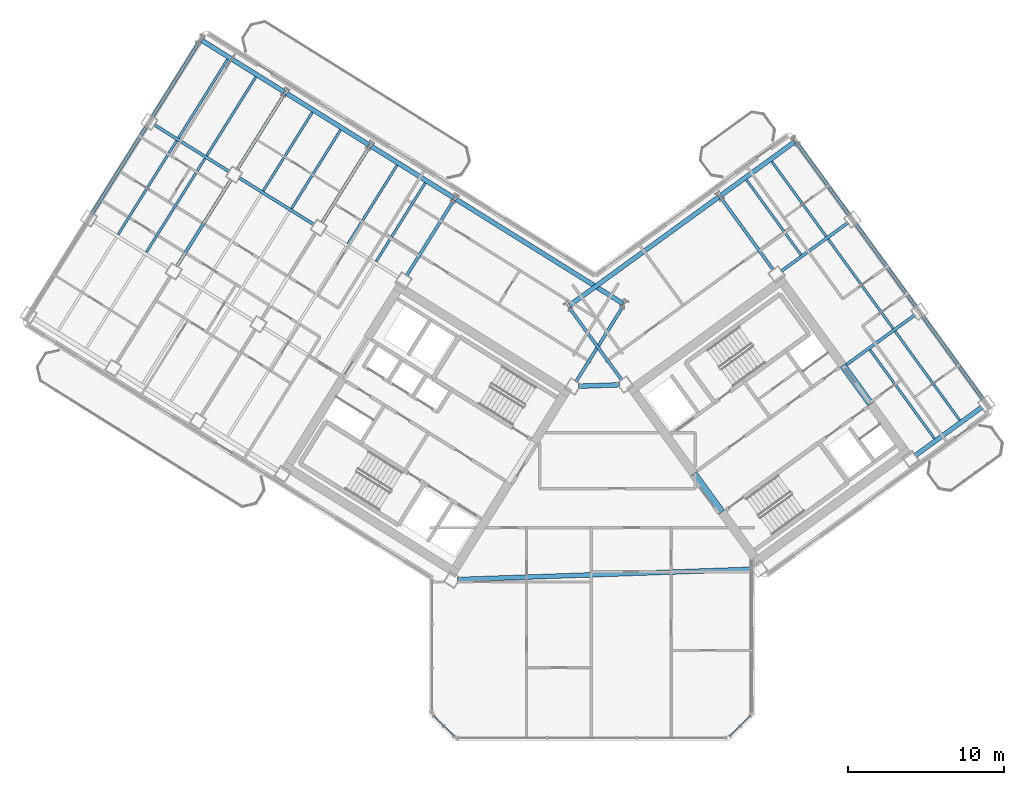
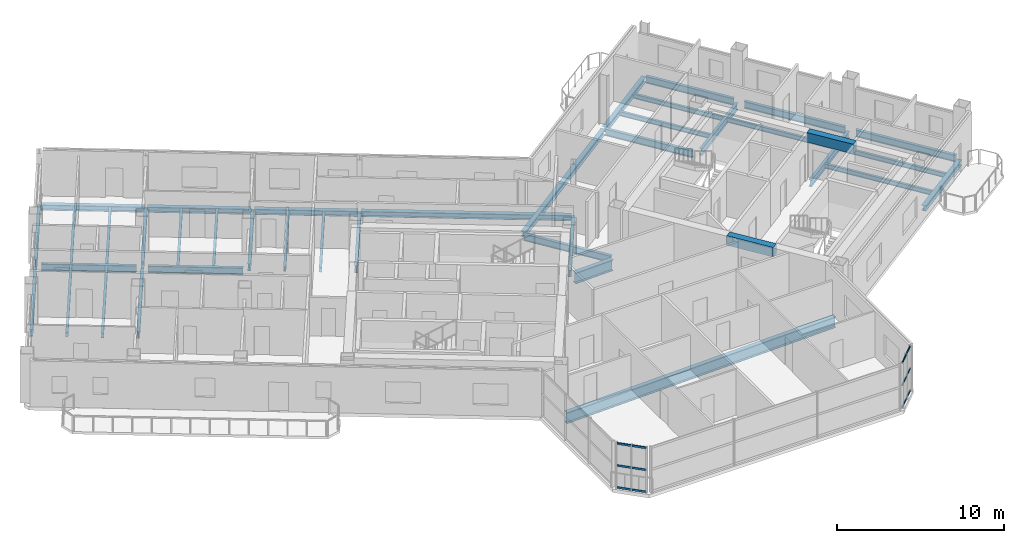
# One storey, part 7 of 21: 40 beams, 12 members, 2 elements without a shape of their own.
"""IFC4 building model written with IfcOpenShell, lengths in metres."""

from ifc_helpers import new_model, si_unit, direction, frame, origin, origin_2d, place, context, subcontext, project, spatial, rectangle, hollow_rectangle, i_section, extrude, source, transform, mapped, material, material_profile, profile_set, type_object, element, aggregate, save


model = new_model("IFC4")

# Units and contexts
model_context = context("Model", 3, precision=1e-05, world=origin(), true_north=direction((0.0, 1.0)))
body_context = subcontext(model_context, "Body", "Model", "MODEL_VIEW")
ifc_project = project(units=[si_unit("LENGTHUNIT", "METRE"), si_unit("AREAUNIT", "SQUARE_METRE"), si_unit("VOLUMEUNIT", "CUBIC_METRE"), si_unit("PLANEANGLEUNIT", "RADIAN"), si_unit("MASSUNIT", "GRAM", prefix="KILO")], contexts=[model_context])

# Site, building, storey
site_placement = place(None, origin())
site = spatial("IfcSite", under=ifc_project, at=site_placement, CompositionType="ELEMENT")
building_placement = place(site_placement, origin())
building = spatial("IfcBuilding", under=site, at=building_placement, Name="Tlacorven Tower", CompositionType="ELEMENT")
storey_placement = place(building_placement, frame((0.0, 0.0, 184.199951171875)))
storey = spatial("IfcBuildingStorey", under=building, at=storey_placement, Name="L46", CompositionType="ELEMENT", Elevation=184.199951171875)

# Beams
ifc_material_1 = material(Name="Concrete C60/75", Category="concrete")
ifc_material_profile_1 = material_profile(ifc_material_1, rectangle(XDim=0.449951171875, YDim=0.699951171875, at=origin_2d()), Name="RC 450X700")
ifc_profile_set_1 = profile_set([ifc_material_profile_1], Name="Concrete C60/75")
beam_type_1 = type_object("IfcBeamType", Name="BM-LNT-700", PredefinedType="LINTEL", material=ifc_profile_set_1)
shared_shape_1 = source(origin(), body_context, "Body", "SweptSolid", [
    extrude(rectangle(XDim=0.449951171875, YDim=0.699951171875, at=origin_2d()), origin(), (0.0, 0.0, 1.0), 3.050048828125),
])
for number, where, z_axis, x_axis, name in (
    (1, (50.318359375, 16.416015625, 3.0), (-0.587776590479, 0.80902328748, 0.0), (-0.80902328748, -0.587776590479, 0.0), "L46 E core coupling lintel beam E1"),
    (2, (59.856689453125, 23.345947265625, 3.0), (-0.587776590479, 0.80902328748, 0.0), (-0.80902328748, -0.587776590479, 0.0), "L46 E core coupling lintel beam E2"),
):
    element("IfcBeam", number, at=place(storey_placement, frame(where, z_axis=z_axis, x_axis=x_axis)), inside=storey, type_object=beam_type_1, Name=name, PredefinedType="LINTEL", context=body_context, shape_type="MappedRepresentation", body=[
        mapped(shared_shape_1, transform((0.0, 0.0, 0.0), scale=1.0)),
    ])
ifc_material_2 = material(Name="Steel S355J2", Category="steel")
ifc_material_profile_2 = material_profile(ifc_material_2, i_section(OverallWidth=0.300048828125, OverallDepth=0.800048828125, WebThickness=0.017578125, FlangeThickness=0.032958984375, at=origin_2d()), Name="HEB 800")
ifc_profile_set_2 = profile_set([ifc_material_profile_2], Name="Steel S355J2")
beam_type_2 = type_object("IfcBeamType", Name="BM-POD-800", PredefinedType="BEAM", material=ifc_profile_set_2)
shared_shape_2 = source(origin(), body_context, "Body", "SweptSolid", [
    extrude(i_section(OverallWidth=0.300048828125, OverallDepth=0.800048828125, WebThickness=0.017578125, FlangeThickness=0.032958984375, at=origin_2d()), origin(), (0.0, 0.0, 1.0), 2.642822265625),
])
beam_1_placement = place(storey_placement, frame((41.1328125, 24.480712890625, -0.64990234375), z_axis=(0.999393314814, 0.034828182629, 0.0), x_axis=(-0.034828182629, 0.999393314814, 0.0)))
element("IfcBeam", 3, at=beam_1_placement, inside=storey, type_object=beam_type_2, Name="L46 Knuckle Link Girder 1", PredefinedType="BEAM", context=body_context, shape_type="MappedRepresentation", body=[
    mapped(shared_shape_2, transform((0.0, 0.0, 0.0), scale=1.0)),
])
ifc_material_profile_3 = material_profile(ifc_material_2, i_section(OverallWidth=0.199951171875, OverallDepth=0.5, WebThickness=0.01025390625, FlangeThickness=0.01611328125, at=origin_2d()), Name="IPE 500")
ifc_profile_set_3 = profile_set([ifc_material_profile_3], Name="Steel S355J2")
beam_type_3 = type_object("IfcBeamType", Name="BM-TWR-500", PredefinedType="BEAM", material=ifc_profile_set_3)
shared_shape_3 = source(origin(), body_context, "Body", "SweptSolid", [
    extrude(i_section(OverallWidth=0.199951171875, OverallDepth=0.5, WebThickness=0.01025390625, FlangeThickness=0.01611328125, at=origin_2d()), origin(), (0.0, 0.0, 1.0), 5.7001953125),
])
for number, where, z_axis, x_axis, name in (
    (4, (24.20361328125, 34.828369140625, -0.5), (-0.848056048787, 0.529906537151, 0.0), (-0.529906537151, -0.848056048787, 0.0), "L46 beam BM-L46-WL2-4"),
    (5, (18.776123046875, 38.2197265625, -0.5), (-0.848056048787, 0.529906537151, 0.0), (-0.529906537151, -0.848056048787, 0.0), "L46 beam BM-L46-WL2-5"),
):
    element("IfcBeam", number, at=place(storey_placement, frame(where, z_axis=z_axis, x_axis=x_axis)), inside=storey, type_object=beam_type_3, Name=name, PredefinedType="BEAM", context=body_context, shape_type="MappedRepresentation", body=[
        mapped(shared_shape_3, transform((0.0, 0.0, 0.0), scale=1.0)),
    ])
shared_shape_4 = source(origin(), body_context, "Body", "SweptSolid", [
    extrude(i_section(OverallWidth=0.199951171875, OverallDepth=0.5, WebThickness=0.01025390625, FlangeThickness=0.01611328125, at=origin_2d()), origin(), (0.0, 0.0, 1.0), 5.75),
])
for number, where, z_axis, x_axis, name in (
    (6, (44.015380859375, 29.6416015625, -0.5), (-0.529884439831, -0.848069855864, 0.0), (0.848069855864, -0.529884439831, 0.0), "L46 beam BM-L46-WT1-1"),
    (7, (33.160400390625, 36.424560546875, -0.5), (-0.529884439831, -0.848069855864, 0.0), (0.848069855864, -0.529884439831, 0.0), "L46 beam BM-L46-WT3-1"),
    (8, (27.73291015625, 39.81591796875, -0.5), (-0.529934056882, -0.848038852504, 0.0), (0.848038852504, -0.529934056882, 0.0), "L46 beam BM-L46-WT4-1"),
    (9, (16.8779296875, 46.598876953125, -0.5), (-0.529934056882, -0.848038852504, 0.0), (0.848038852504, -0.529934056882, 0.0), "L46 beam BM-L46-WT6-1"),
    (10, (43.91796875, 24.8681640625, -0.5), (-0.587770208527, 0.809027924097, 0.0), (-0.809027924097, -0.587770208527, 0.0), "L46 beam BM-L46-ET1-2"),
    (11, (53.626220703125, 31.921630859375, -0.5), (-0.587770208527, 0.809027924097, 0.0), (-0.809027924097, -0.587770208527, 0.0), "L46 beam BM-L46-ET3-2"),
    (12, (58.480224609375, 35.4482421875, -0.5), (-0.587770208527, 0.809027924097, 0.0), (-0.809027924097, -0.587770208527, 0.0), "L46 beam BM-L46-ET4-3"),
):
    element("IfcBeam", number, at=place(storey_placement, frame(where, z_axis=z_axis, x_axis=x_axis)), inside=storey, type_object=beam_type_3, Name=name, PredefinedType="BEAM", context=body_context, shape_type="MappedRepresentation", body=[
        mapped(shared_shape_4, transform((0.0, 0.0, 0.0), scale=1.0)),
    ])
shared_shape_5 = source(origin(), body_context, "Body", "SweptSolid", [
    extrude(i_section(OverallWidth=0.199951171875, OverallDepth=0.5, WebThickness=0.01025390625, FlangeThickness=0.01611328125, at=origin_2d()), origin(), (0.0, 0.0, 1.0), 6.599853515625),
])
beam_2_placement = place(storey_placement, frame((13.4599609375, 41.12890625, -0.5), z_axis=(-0.529942412256, -0.848033631227, 0.0), x_axis=(0.848033631227, -0.529942412256, 0.0)))
element("IfcBeam", 13, at=beam_2_placement, inside=storey, type_object=beam_type_3, Name="L46 beam BM-L46-WT6-2", PredefinedType="BEAM", context=body_context, shape_type="MappedRepresentation", body=[
    mapped(shared_shape_5, transform((0.0, 0.0, 0.0), scale=1.0)),
])
shared_shape_6 = source(origin(), body_context, "Body", "SweptSolid", [
    extrude(i_section(OverallWidth=0.199951171875, OverallDepth=0.5, WebThickness=0.01025390625, FlangeThickness=0.01611328125, at=origin_2d()), origin(), (0.0, 0.0, 1.0), 6.60009765625),
])
for number, where, z_axis, x_axis, name in (
    (14, (18.887451171875, 37.737548828125, -0.5), (-0.529925788294, -0.848044019436, 0.0), (0.848044019436, -0.529925788294, 0.0), "L46 beam BM-L46-WT5-2"),
    (15, (67.06201171875, 23.63671875, -0.5), (-0.587780128583, 0.809020716943, 0.0), (-0.809020716943, -0.587780128583, 0.0), "L46 beam BM-L46-ET4-1"),
    (16, (62.771240234375, 29.54248046875, -0.5), (-0.587780128583, 0.809020716943, 0.0), (-0.809020716943, -0.587780128583, 0.0), "L46 beam BM-L46-ET4-2"),
):
    element("IfcBeam", number, at=place(storey_placement, frame(where, z_axis=z_axis, x_axis=x_axis)), inside=storey, type_object=beam_type_3, Name=name, PredefinedType="BEAM", context=body_context, shape_type="MappedRepresentation", body=[
        mapped(shared_shape_6, transform((0.0, 0.0, 0.0), scale=1.0)),
    ])
shared_shape_7 = source(origin(), body_context, "Body", "SweptSolid", [
    extrude(i_section(OverallWidth=0.199951171875, OverallDepth=0.5, WebThickness=0.01025390625, FlangeThickness=0.01611328125, at=origin_2d()), origin(), (0.0, 0.0, 1.0), 5.750244140625),
])
beam_3_placement = place(storey_placement, frame((22.305419921875, 43.20751953125, -0.5), z_axis=(-0.529914976044, -0.848050775699, 0.0), x_axis=(0.848050775699, -0.529914976044, 0.0)))
element("IfcBeam", 17, at=beam_3_placement, inside=storey, type_object=beam_type_3, Name="L46 beam BM-L46-WT5-1", PredefinedType="BEAM", context=body_context, shape_type="MappedRepresentation", body=[
    mapped(shared_shape_7, transform((0.0, 0.0, 0.0), scale=1.0)),
])
shared_shape_8 = source(origin(), body_context, "Body", "SweptSolid", [
    extrude(i_section(OverallWidth=0.199951171875, OverallDepth=0.5, WebThickness=0.01025390625, FlangeThickness=0.01611328125, at=origin_2d()), origin(), (0.0, 0.0, 1.0), 5.300048828125),
])
beam_4_placement = place(storey_placement, frame((54.114990234375, 31.84423828125, -0.5), z_axis=(0.809022830186, 0.587777219904, 0.0), x_axis=(-0.587777219904, 0.809022830186, 0.0)))
element("IfcBeam", 18, at=beam_4_placement, inside=storey, type_object=beam_type_3, Name="L46 beam BM-L46-EL3-3", PredefinedType="BEAM", context=body_context, shape_type="MappedRepresentation", body=[
    mapped(shared_shape_8, transform((0.0, 0.0, 0.0), scale=1.0)),
])
shared_shape_9 = source(origin(), body_context, "Body", "SweptSolid", [
    extrude(i_section(OverallWidth=0.199951171875, OverallDepth=0.5, WebThickness=0.01025390625, FlangeThickness=0.01611328125, at=origin_2d()), origin(), (0.0, 0.0, 1.0), 5.6103515625),
])
beam_5_placement = place(storey_placement, frame((58.155029296875, 25.756103515625, -0.5), z_axis=(0.809020142627, 0.587780919071, 0.0), x_axis=(-0.587780919071, 0.809020142627, 0.0)))
element("IfcBeam", 19, at=beam_5_placement, inside=storey, type_object=beam_type_3, Name="L46 beam BM-L46-EL2-3", PredefinedType="BEAM", context=body_context, shape_type="MappedRepresentation", body=[
    mapped(shared_shape_9, transform((0.0, 0.0, 0.0), scale=1.0)),
])
shared_shape_10 = source(origin(), body_context, "Body", "SweptSolid", [
    extrude(i_section(OverallWidth=0.300048828125, OverallDepth=0.800048828125, WebThickness=0.017578125, FlangeThickness=0.032958984375, at=origin_2d()), origin(), (0.0, 0.0, 1.0), 18.97119140625),
])
beam_6_placement = place(storey_placement, frame((33.39599609375, 12.09912109375, -0.64990234375), z_axis=(0.999390787537, 0.034900627304, 0.0), x_axis=(-0.034900627304, 0.999390787537, 0.0)))
element("IfcBeam", 20, at=beam_6_placement, inside=storey, type_object=beam_type_2, Name="L46 Knuckle Link Girder 2", PredefinedType="BEAM", context=body_context, shape_type="MappedRepresentation", body=[
    mapped(shared_shape_10, transform((0.0, 0.0, 0.0), scale=1.0)),
])
ifc_material_profile_4 = material_profile(ifc_material_2, i_section(OverallWidth=0.159912109375, OverallDepth=0.330078125, WebThickness=0.007568359375, FlangeThickness=0.011474609375, at=origin_2d()), Name="IPE 330")
ifc_profile_set_4 = profile_set([ifc_material_profile_4], Name="Steel S355J2")
beam_type_4 = type_object("IfcBeamType", Name="BM-JST-330", PredefinedType="JOIST", material=ifc_profile_set_4)
shared_shape_11 = source(origin(), body_context, "Body", "SweptSolid", [
    extrude(i_section(OverallWidth=0.159912109375, OverallDepth=0.330078125, WebThickness=0.007568359375, FlangeThickness=0.011474609375, at=origin_2d()), origin(), (0.0, 0.0, 1.0), 7.0400390625),
])
beam_7_placement = place(storey_placement, frame((63.9404296875, 21.127685546875, -0.4150390625), z_axis=(-0.587773661987, 0.809025415098, 0.0), x_axis=(-0.809025415098, -0.587773661987, 0.0)))
element("IfcBeam", 21, at=beam_7_placement, inside=storey, type_object=beam_type_4, Name="L46 beam BM-L46-EJ3-1-1", PredefinedType="JOIST", context=body_context, shape_type="MappedRepresentation", body=[
    mapped(shared_shape_11, transform((0.0, 0.0, 0.0), scale=1.0)),
])
shared_shape_12 = source(origin(), body_context, "Body", "SweptSolid", [
    extrude(i_section(OverallWidth=0.159912109375, OverallDepth=0.330078125, WebThickness=0.007568359375, FlangeThickness=0.011474609375, at=origin_2d()), origin(), (0.0, 0.0, 1.0), 5.940185546875),
])
for number, where, z_axis, x_axis, name in (
    (22, (29.512939453125, 38.638916015625, -0.4150390625), (-0.529902882565, -0.848058332339, 0.0), (0.848058332339, -0.529902882565, 0.0), "L46 beam BM-L46-WJ3-1-2"),
    (23, (25.894775390625, 40.899658203125, -0.4150390625), (-0.529950911506, -0.848028319924, 0.0), (0.848028319924, -0.529950911506, 0.0), "L46 beam BM-L46-WJ4-1-1"),
    (24, (18.657958984375, 45.421875, -0.4150390625), (-0.529902882565, -0.848058332339, 0.0), (0.848058332339, -0.529902882565, 0.0), "L46 beam BM-L46-WJ5-1-2"),
    (25, (55.38818359375, 32.89892578125, -0.4150390625), (-0.587778174144, 0.809022136903, 0.0), (-0.809022136903, -0.587778174144, 0.0), "L46 beam BM-L46-EJ3-3-1"),
    (26, (57.00634765625, 34.074462890625, -0.4150390625), (-0.587778174144, 0.809022136903, 0.0), (-0.809022136903, -0.587778174144, 0.0), "L46 beam BM-L46-EJ3-3-2"),
):
    element("IfcBeam", number, at=place(storey_placement, frame(where, z_axis=z_axis, x_axis=x_axis)), inside=storey, type_object=beam_type_4, Name=name, PredefinedType="JOIST", context=body_context, shape_type="MappedRepresentation", body=[
        mapped(shared_shape_12, transform((0.0, 0.0, 0.0), scale=1.0)),
    ])
shared_shape_13 = source(origin(), body_context, "Body", "SweptSolid", [
    extrude(i_section(OverallWidth=0.159912109375, OverallDepth=0.330078125, WebThickness=0.007568359375, FlangeThickness=0.011474609375, at=origin_2d()), origin(), (0.0, 0.0, 1.0), 7.090087890625),
])
for number, where, z_axis, x_axis, name in (
    (27, (17.208251953125, 39.07568359375, -0.4150390625), (-0.529937035031, -0.848036991471, 0.0), (0.848036991471, -0.529937035031, 0.0), "L46 beam BM-L46-WJ5-2-1"),
    (28, (15.39892578125, 40.206298828125, -0.4150390625), (-0.529912270669, -0.84805246618, 0.0), (0.84805246618, -0.529912270669, 0.0), "L46 beam BM-L46-WJ5-2-2"),
    (29, (61.297119140625, 28.168701171875, -0.4150390625), (-0.587782622309, 0.809018905164, 0.0), (-0.809018905164, -0.587782622309, 0.0), "L46 beam BM-L46-EJ3-2-2"),
):
    element("IfcBeam", number, at=place(storey_placement, frame(where, z_axis=z_axis, x_axis=x_axis)), inside=storey, type_object=beam_type_4, Name=name, PredefinedType="JOIST", context=body_context, shape_type="MappedRepresentation", body=[
        mapped(shared_shape_13, transform((0.0, 0.0, 0.0), scale=1.0)),
    ])
shared_shape_14 = source(origin(), body_context, "Body", "SweptSolid", [
    extrude(i_section(OverallWidth=0.159912109375, OverallDepth=0.330078125, WebThickness=0.007568359375, FlangeThickness=0.011474609375, at=origin_2d()), origin(), (0.0, 0.0, 1.0), 5.93994140625),
])
for number, where, z_axis, x_axis, name in (
    (30, (31.322265625, 37.50830078125, -0.4150390625), (-0.529921352973, -0.848046790963, 0.0), (0.848046790963, -0.529921352973, 0.0), "L46 beam BM-L46-WJ3-1-1"),
    (31, (24.08544921875, 42.0302734375, -0.4150390625), (-0.529921352973, -0.848046790963, 0.0), (0.848046790963, -0.529921352973, 0.0), "L46 beam BM-L46-WJ4-1-2"),
    (32, (20.467041015625, 44.291259765625, -0.4150390625), (-0.529921352973, -0.848046790963, 0.0), (0.848046790963, -0.529921352973, 0.0), "L46 beam BM-L46-WJ5-1-1"),
):
    element("IfcBeam", number, at=place(storey_placement, frame(where, z_axis=z_axis, x_axis=x_axis)), inside=storey, type_object=beam_type_4, Name=name, PredefinedType="JOIST", context=body_context, shape_type="MappedRepresentation", body=[
        mapped(shared_shape_14, transform((0.0, 0.0, 0.0), scale=1.0)),
    ])
shared_shape_15 = source(origin(), body_context, "Body", "SweptSolid", [
    extrude(i_section(OverallWidth=0.159912109375, OverallDepth=0.330078125, WebThickness=0.007568359375, FlangeThickness=0.011474609375, at=origin_2d()), origin(), (0.0, 0.0, 1.0), 7.039794921875),
])
beam_8_placement = place(storey_placement, frame((65.55859375, 22.303466796875, -0.4150390625), z_axis=(-0.587790152999, 0.809013433781, 0.0), x_axis=(-0.809013433781, -0.587790152999, 0.0)))
element("IfcBeam", 33, at=beam_8_placement, inside=storey, type_object=beam_type_4, Name="L46 beam BM-L46-EJ3-1-2", PredefinedType="JOIST", context=body_context, shape_type="MappedRepresentation", body=[
    mapped(shared_shape_15, transform((0.0, 0.0, 0.0), scale=1.0)),
])
ifc_material_profile_5 = material_profile(ifc_material_2, i_section(OverallWidth=0.300048828125, OverallDepth=0.389892578125, WebThickness=0.010986328125, FlangeThickness=0.01904296875, at=origin_2d()), Name="HEA 400")
ifc_profile_set_5 = profile_set([ifc_material_profile_5], Name="Steel S355J2")
beam_type_5 = type_object("IfcBeamType", Name="BM-SPN-400", PredefinedType="SPANDREL", material=ifc_profile_set_5)
shared_shape_16 = source(origin(), body_context, "Body", "SweptSolid", [
    extrude(i_section(OverallWidth=0.300048828125, OverallDepth=0.389892578125, WebThickness=0.010986328125, FlangeThickness=0.01904296875, at=origin_2d()), origin(), (0.0, 0.0, 1.0), 12.599853515625),
])
beam_9_placement = place(storey_placement, frame((43.983642578125, 29.779296875, -0.445068359375), z_axis=(-0.848045108756, 0.529924045043, 0.0), x_axis=(-0.529924045043, -0.848045108756, 0.0)))
element("IfcBeam", 34, at=beam_9_placement, inside=storey, type_object=beam_type_5, Name="L46 beam BM-L46-WL1-1", PredefinedType="SPANDREL", context=body_context, shape_type="MappedRepresentation", body=[
    mapped(shared_shape_16, transform((0.0, 0.0, 0.0), scale=1.0)),
])
shared_shape_17 = source(origin(), body_context, "Body", "SweptSolid", [
    extrude(i_section(OverallWidth=0.300048828125, OverallDepth=0.389892578125, WebThickness=0.010986328125, FlangeThickness=0.01904296875, at=origin_2d()), origin(), (0.0, 0.0, 1.0), 6.199951171875),
])
beam_10_placement = place(storey_placement, frame((33.128662109375, 36.562255859375, -0.445068359375), z_axis=(-0.848051394107, 0.529913986372, 0.0), x_axis=(-0.529913986372, -0.848051394107, 0.0)))
element("IfcBeam", 35, at=beam_10_placement, inside=storey, type_object=beam_type_5, Name="L46 beam BM-L46-WL1-3", PredefinedType="SPANDREL", context=body_context, shape_type="MappedRepresentation", body=[
    mapped(shared_shape_17, transform((0.0, 0.0, 0.0), scale=1.0)),
])
shared_shape_18 = source(origin(), body_context, "Body", "SweptSolid", [
    extrude(i_section(OverallWidth=0.300048828125, OverallDepth=0.389892578125, WebThickness=0.010986328125, FlangeThickness=0.01904296875, at=origin_2d()), origin(), (0.0, 0.0, 1.0), 6.2001953125),
])
for number, where, z_axis, x_axis, name in (
    (36, (27.701171875, 39.95361328125, -0.445068359375), (-0.84804475579, 0.5299246099, 0.0), (-0.5299246099, -0.84804475579, 0.0), "L46 beam BM-L46-WL1-4"),
    (37, (22.273681640625, 43.34521484375, -0.445068359375), (-0.848062451332, 0.529896290457, 0.0), (-0.529896290457, -0.848062451332, 0.0), "L46 beam BM-L46-WL1-5"),
):
    element("IfcBeam", number, at=place(storey_placement, frame(where, z_axis=z_axis, x_axis=x_axis)), inside=storey, type_object=beam_type_5, Name=name, PredefinedType="SPANDREL", context=body_context, shape_type="MappedRepresentation", body=[
        mapped(shared_shape_18, transform((0.0, 0.0, 0.0), scale=1.0)),
    ])
shared_shape_19 = source(origin(), body_context, "Body", "SweptSolid", [
    extrude(i_section(OverallWidth=0.300048828125, OverallDepth=0.389892578125, WebThickness=0.010986328125, FlangeThickness=0.01904296875, at=origin_2d()), origin(), (0.0, 0.0, 1.0), 5.300048828125),
])
beam_11_placement = place(storey_placement, frame((62.69677734375, 20.032470703125, -0.445068359375), z_axis=(0.809022830186, 0.587777219904, 0.0), x_axis=(-0.587777219904, 0.809022830186, 0.0)))
element("IfcBeam", 38, at=beam_11_placement, inside=storey, type_object=beam_type_5, Name="L46 beam BM-L46-EL1-3", PredefinedType="SPANDREL", context=body_context, shape_type="MappedRepresentation", body=[
    mapped(shared_shape_19, transform((0.0, 0.0, 0.0), scale=1.0)),
])
shared_shape_20 = source(origin(), body_context, "Body", "SweptSolid", [
    extrude(i_section(OverallWidth=0.300048828125, OverallDepth=0.389892578125, WebThickness=0.010986328125, FlangeThickness=0.01904296875, at=origin_2d()), origin(), (0.0, 0.0, 1.0), 11.800048828125),
])
beam_12_placement = place(storey_placement, frame((40.560302734375, 29.65966796875, -0.445068359375), z_axis=(0.80900977213, 0.587795192732, 0.0), x_axis=(-0.587795192732, 0.80900977213, 0.0)))
element("IfcBeam", 39, at=beam_12_placement, inside=storey, type_object=beam_type_5, Name="L46 beam BM-L46-EL4-1", PredefinedType="SPANDREL", context=body_context, shape_type="MappedRepresentation", body=[
    mapped(shared_shape_20, transform((0.0, 0.0, 0.0), scale=1.0)),
])
shared_shape_21 = source(origin(), body_context, "Body", "SweptSolid", [
    extrude(i_section(OverallWidth=0.300048828125, OverallDepth=0.389892578125, WebThickness=0.010986328125, FlangeThickness=0.01904296875, at=origin_2d()), origin(), (0.0, 0.0, 1.0), 5.800048828125),
])
beam_13_placement = place(storey_placement, frame((50.2685546875, 36.713134765625, -0.445068359375), z_axis=(0.809019944521, 0.587781191743, 0.0), x_axis=(-0.587781191743, 0.809019944521, 0.0)))
element("IfcBeam", 40, at=beam_13_placement, inside=storey, type_object=beam_type_5, Name="L46 beam BM-L46-EL4-3", PredefinedType="SPANDREL", context=body_context, shape_type="MappedRepresentation", body=[
    mapped(shared_shape_21, transform((0.0, 0.0, 0.0), scale=1.0)),
])

# Curtain wall, members
ifc_material_3 = material(Name="Dark solar low-E double glazing in aluminium frame", Category="aluminium")
curtain_wall_type = type_object("IfcCurtainWallType", Name="CW-TWR-MID", PredefinedType="USERDEFINED", material=ifc_material_3)
curtain_wall_1_placement = place(storey_placement, origin())
curtain_wall_1 = element("IfcCurtainWall", 41, at=curtain_wall_1_placement, inside=storey, type_object=curtain_wall_type, Name="L46 CW-TWR-MID Curtain Wall 212", ObjectType="UNITISED CURTAIN WALL", PredefinedType="USERDEFINED")
ifc_material_4 = material(Name="Aluminium 6063-T6 anodised", Category="aluminium")
ifc_material_profile_6 = material_profile(ifc_material_4, hollow_rectangle(XDim=0.06005859375, YDim=0.139892578125, WallThickness=0.00390625, at=origin_2d()), Name="ALU TRANSOM 60X140")
ifc_profile_set_6 = profile_set([ifc_material_profile_6], Name="Aluminium 6063-T6 anodised")
member_type = type_object("IfcMemberType", Name="CWT-02", PredefinedType="USERDEFINED", material=ifc_profile_set_6)
shared_shape_22 = source(origin(), body_context, "Body", "SweptSolid", [
    extrude(hollow_rectangle(XDim=0.06005859375, YDim=0.139892578125, WallThickness=0.00390625, at=origin_2d()), origin(), (0.0, 0.0, 1.0), 0.8916015625),
])
member_1_placement = place(storey_placement, frame((52.1318359375, 3.358154296875, 0.070068359375), z_axis=(-0.706969864397, -0.70724367147, 0.0), x_axis=(0.70724367147, -0.706969864397, 0.0)))
member_1 = element("IfcMember", 42, at=member_1_placement, type_object=member_type, Name="CW-L46-212 Transom 1", ObjectType="TRANSOM", PredefinedType="USERDEFINED", context=body_context, shape_type="MappedRepresentation", body=[
    mapped(shared_shape_22, transform((0.0, 0.0, 0.0), scale=1.0)),
])
member_2_placement = place(storey_placement, frame((52.1318359375, 3.358154296875, 1.675048828125), z_axis=(-0.706969864397, -0.70724367147, 0.0), x_axis=(0.70724367147, -0.706969864397, 0.0)))
member_2 = element("IfcMember", 43, at=member_2_placement, type_object=member_type, Name="CW-L46-212 Transom 2", ObjectType="TRANSOM", PredefinedType="USERDEFINED", context=body_context, shape_type="MappedRepresentation", body=[
    mapped(shared_shape_22, transform((0.0, 0.0, 0.0), scale=1.0)),
])
member_3_placement = place(storey_placement, frame((52.1318359375, 3.358154296875, 3.280029296875), z_axis=(-0.706969864397, -0.70724367147, 0.0), x_axis=(0.70724367147, -0.706969864397, 0.0)))
member_3 = element("IfcMember", 44, at=member_3_placement, type_object=member_type, Name="CW-L46-212 Transom 3", ObjectType="TRANSOM", PredefinedType="USERDEFINED", context=body_context, shape_type="MappedRepresentation", body=[
    mapped(shared_shape_22, transform((0.0, 0.0, 0.0), scale=1.0)),
])

curtain_wall_2_placement = place(storey_placement, origin())
curtain_wall_2 = element("IfcCurtainWall", 45, at=curtain_wall_2_placement, inside=storey, type_object=curtain_wall_type, Name="L46 CW-TWR-MID Curtain Wall 214", ObjectType="UNITISED CURTAIN WALL", PredefinedType="USERDEFINED")
member_4_placement = place(storey_placement, frame((32.49853515625, 2.7275390625, 0.070068359375), z_axis=(-0.706969864397, 0.70724367147, 0.0), x_axis=(-0.70724367147, -0.706969864397, 0.0)))
member_4 = element("IfcMember", 46, at=member_4_placement, type_object=member_type, Name="CW-L46-214 Transom 4", ObjectType="TRANSOM", PredefinedType="USERDEFINED", context=body_context, shape_type="MappedRepresentation", body=[
    mapped(shared_shape_22, transform((0.0, 0.0, 0.0), scale=1.0)),
])
member_5_placement = place(storey_placement, frame((32.49853515625, 2.7275390625, 1.675048828125), z_axis=(-0.706969864397, 0.70724367147, 0.0), x_axis=(-0.70724367147, -0.706969864397, 0.0)))
member_5 = element("IfcMember", 47, at=member_5_placement, type_object=member_type, Name="CW-L46-214 Transom 5", ObjectType="TRANSOM", PredefinedType="USERDEFINED", context=body_context, shape_type="MappedRepresentation", body=[
    mapped(shared_shape_22, transform((0.0, 0.0, 0.0), scale=1.0)),
])
member_6_placement = place(storey_placement, frame((32.49853515625, 2.7275390625, 3.280029296875), z_axis=(-0.706969864397, 0.70724367147, 0.0), x_axis=(-0.70724367147, -0.706969864397, 0.0)))
member_6 = element("IfcMember", 48, at=member_6_placement, type_object=member_type, Name="CW-L46-214 Transom 6", ObjectType="TRANSOM", PredefinedType="USERDEFINED", context=body_context, shape_type="MappedRepresentation", body=[
    mapped(shared_shape_22, transform((0.0, 0.0, 0.0), scale=1.0)),
])

# Member
shared_shape_23 = source(origin(), body_context, "Body", "SweptSolid", [
    extrude(hollow_rectangle(XDim=0.06005859375, YDim=0.139892578125, WallThickness=0.00390625, at=origin_2d()), origin(), (0.0, 0.0, 1.0), 0.891845703125),
])
member_7_placement = place(storey_placement, frame((51.472412109375, 2.69873046875, 0.070068359375), z_axis=(-0.707106781187, -0.707106781187, 0.0), x_axis=(0.707106781187, -0.707106781187, 0.0)))
member_7 = element("IfcMember", 49, at=member_7_placement, type_object=member_type, Name="CW-L46-212 Transom 4", ObjectType="TRANSOM", PredefinedType="USERDEFINED", context=body_context, shape_type="MappedRepresentation", body=[
    mapped(shared_shape_23, transform((0.0, 0.0, 0.0), scale=1.0)),
])

member_8_placement = place(storey_placement, frame((51.472412109375, 2.69873046875, 1.675048828125), z_axis=(-0.707106781187, -0.707106781187, 0.0), x_axis=(0.707106781187, -0.707106781187, 0.0)))
member_8 = element("IfcMember", 50, at=member_8_placement, type_object=member_type, Name="CW-L46-212 Transom 5", ObjectType="TRANSOM", PredefinedType="USERDEFINED", context=body_context, shape_type="MappedRepresentation", body=[
    mapped(shared_shape_23, transform((0.0, 0.0, 0.0), scale=1.0)),
])

member_9_placement = place(storey_placement, frame((51.472412109375, 2.69873046875, 3.280029296875), z_axis=(-0.707106781187, -0.707106781187, 0.0), x_axis=(0.707106781187, -0.707106781187, 0.0)))
member_9 = element("IfcMember", 51, at=member_9_placement, type_object=member_type, Name="CW-L46-212 Transom 6", ObjectType="TRANSOM", PredefinedType="USERDEFINED", context=body_context, shape_type="MappedRepresentation", body=[
    mapped(shared_shape_23, transform((0.0, 0.0, 0.0), scale=1.0)),
])

aggregate(curtain_wall_1, [member_1, member_2, member_3, member_7, member_8, member_9])

member_10_placement = place(storey_placement, frame((33.158203125, 2.068115234375, 0.070068359375), z_axis=(-0.707106781187, 0.707106781187, 0.0), x_axis=(-0.707106781187, -0.707106781187, 0.0)))
member_10 = element("IfcMember", 52, at=member_10_placement, type_object=member_type, Name="CW-L46-214 Transom 1", ObjectType="TRANSOM", PredefinedType="USERDEFINED", context=body_context, shape_type="MappedRepresentation", body=[
    mapped(shared_shape_23, transform((0.0, 0.0, 0.0), scale=1.0)),
])

member_11_placement = place(storey_placement, frame((33.158203125, 2.068115234375, 1.675048828125), z_axis=(-0.707106781187, 0.707106781187, 0.0), x_axis=(-0.707106781187, -0.707106781187, 0.0)))
member_11 = element("IfcMember", 53, at=member_11_placement, type_object=member_type, Name="CW-L46-214 Transom 2", ObjectType="TRANSOM", PredefinedType="USERDEFINED", context=body_context, shape_type="MappedRepresentation", body=[
    mapped(shared_shape_23, transform((0.0, 0.0, 0.0), scale=1.0)),
])

member_12_placement = place(storey_placement, frame((33.158203125, 2.068115234375, 3.280029296875), z_axis=(-0.707106781187, 0.707106781187, 0.0), x_axis=(-0.707106781187, -0.707106781187, 0.0)))
member_12 = element("IfcMember", 54, at=member_12_placement, type_object=member_type, Name="CW-L46-214 Transom 3", ObjectType="TRANSOM", PredefinedType="USERDEFINED", context=body_context, shape_type="MappedRepresentation", body=[
    mapped(shared_shape_23, transform((0.0, 0.0, 0.0), scale=1.0)),
])

aggregate(curtain_wall_2, [member_10, member_11, member_12, member_4, member_5, member_6])

save(model, "model.ifc")
